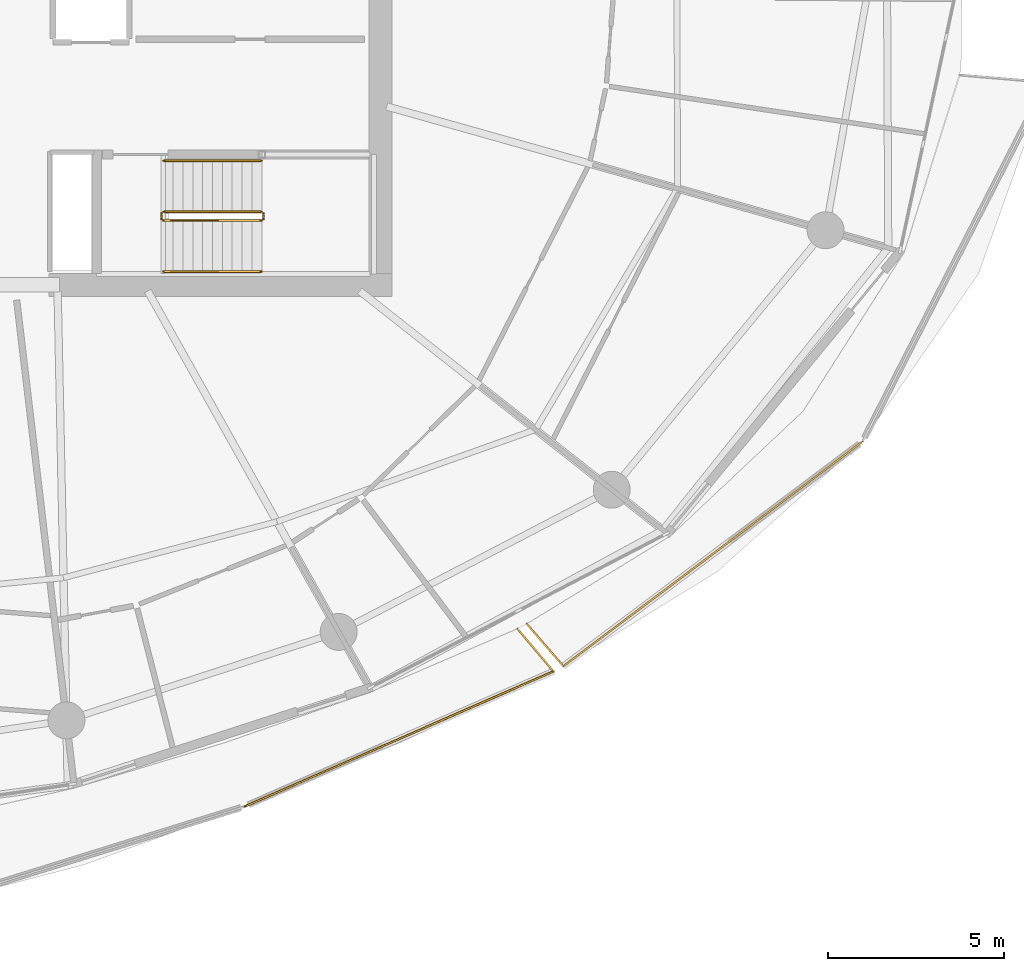
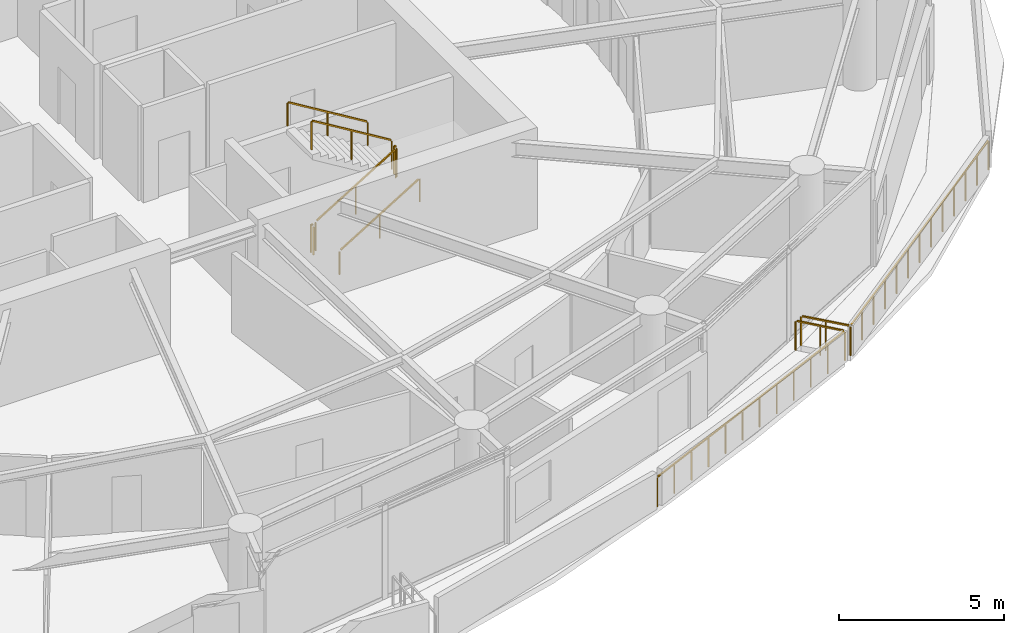
# One storey, part 18 of 20: 10 railings.
"""IFC4 building model written with IfcOpenShell, lengths in metres."""

from ifc_helpers import new_model, si_unit, direction, frame, origin, origin_2d, place, context, subcontext, project, spatial, rectangle, extrude, material, type_object, element, save


model = new_model("IFC4")

# Units and contexts
model_context = context("Model", 3, precision=1e-05, world=origin(), true_north=direction((0.0, 1.0)))
body_context = subcontext(model_context, "Body", "Model", "MODEL_VIEW")
ifc_project = project(units=[si_unit("LENGTHUNIT", "METRE"), si_unit("AREAUNIT", "SQUARE_METRE"), si_unit("VOLUMEUNIT", "CUBIC_METRE"), si_unit("PLANEANGLEUNIT", "RADIAN"), si_unit("MASSUNIT", "GRAM", prefix="KILO")], contexts=[model_context])

# Site, building, storey
site_placement = place(None, origin())
site = spatial("IfcSite", under=ifc_project, at=site_placement, CompositionType="ELEMENT")
building_placement = place(site_placement, origin())
building = spatial("IfcBuilding", under=site, at=building_placement, Name="Kazma Halo Residences", CompositionType="ELEMENT")
storey_placement = place(building_placement, frame((0.0, 0.0, 206.550048828125)))
storey = spatial("IfcBuildingStorey", under=building, at=storey_placement, Name="L52", CompositionType="ELEMENT", Elevation=206.550048828125)

# Railings
ifc_material_1 = material(Name="Aluminium AW-6063 T6 Brushed Cap Rail", Category="aluminium")
railing_type_1 = type_object("IfcRailingType", Name="RLG-BAL-CAP-1120", PredefinedType="BALUSTRADE", material=ifc_material_1)
railing_1_placement = place(storey_placement, frame((55.520263671875, 18.855224609375, 0.0)))
element("IfcRailing", 1, at=railing_1_placement, inside=storey, type_object=railing_type_1, Name="L52 SSE wave balcony guard 3", PredefinedType="BALUSTRADE", context=body_context, shape_type="SweptSolid", body=[
    extrude(rectangle(XDim=0.050048828125, YDim=0.050048828125, at=origin_2d()), frame((0.0390625, 0.01708984375, 1.09521484375), z_axis=(0.916057182415, 0.401047676151, 0.0), x_axis=(-0.401047676151, 0.916057182415, 0.0)), (0.0, 0.0, 1.0), 9.484619140625),
    extrude(rectangle(XDim=0.0400390625, YDim=0.0400390625, at=origin_2d()), origin(), (0.0, 0.0, 1.0), 1.05810546875),
    extrude(rectangle(XDim=0.0400390625, YDim=0.0400390625, at=origin_2d()), frame((0.796875, 0.348876953125, 0.0)), (0.0, 0.0, 1.0), 1.05810546875),
    extrude(rectangle(XDim=0.0400390625, YDim=0.0400390625, at=origin_2d()), frame((1.593994140625, 0.69775390625, 0.0)), (0.0, 0.0, 1.0), 1.05810546875),
    extrude(rectangle(XDim=0.0400390625, YDim=0.0400390625, at=origin_2d()), frame((2.390869140625, 1.046630859375, 0.0)), (0.0, 0.0, 1.0), 1.05810546875),
    extrude(rectangle(XDim=0.0400390625, YDim=0.0400390625, at=origin_2d()), frame((3.187744140625, 1.3955078125, 0.0)), (0.0, 0.0, 1.0), 1.05810546875),
    extrude(rectangle(XDim=0.0400390625, YDim=0.0400390625, at=origin_2d()), frame((3.984619140625, 1.744384765625, 0.0)), (0.0, 0.0, 1.0), 1.05810546875),
    extrude(rectangle(XDim=0.0400390625, YDim=0.0400390625, at=origin_2d()), frame((4.78173828125, 2.093505859375, 0.0)), (0.0, 0.0, 1.0), 1.05810546875),
    extrude(rectangle(XDim=0.0400390625, YDim=0.0400390625, at=origin_2d()), frame((5.57861328125, 2.4423828125, 0.0)), (0.0, 0.0, 1.0), 1.05810546875),
    extrude(rectangle(XDim=0.0400390625, YDim=0.0400390625, at=origin_2d()), frame((6.37548828125, 2.791259765625, 0.0)), (0.0, 0.0, 1.0), 1.05810546875),
    extrude(rectangle(XDim=0.0400390625, YDim=0.0400390625, at=origin_2d()), frame((7.17236328125, 3.14013671875, 0.0)), (0.0, 0.0, 1.0), 1.05810546875),
    extrude(rectangle(XDim=0.0400390625, YDim=0.0400390625, at=origin_2d()), frame((7.969482421875, 3.489013671875, 0.0)), (0.0, 0.0, 1.0), 1.05810546875),
    extrude(rectangle(XDim=0.0400390625, YDim=0.0400390625, at=origin_2d()), frame((8.766357421875, 3.837890625, 0.0)), (0.0, 0.0, 1.0), 1.05810546875),
])
railing_2_placement = place(storey_placement, frame((64.28662109375, 22.693115234375, 0.0)))
element("IfcRailing", 2, at=railing_2_placement, inside=storey, type_object=railing_type_1, Name="L52 SSE wave balcony guard 4", PredefinedType="BALUSTRADE", context=body_context, shape_type="SweptSolid", body=[
    extrude(rectangle(XDim=0.050048828125, YDim=0.050048828125, at=origin_2d()), frame((-0.02734375, 0.032470703125, 1.09521484375), z_axis=(-0.644719068761, 0.764419598373, 0.0), x_axis=(-0.764419598373, -0.644719068761, 0.0)), (0.0, 0.0, 1.0), 1.499755859375),
    extrude(rectangle(XDim=0.0400390625, YDim=0.0400390625, at=origin_2d()), origin(), (0.0, 0.0, 1.0), 1.05810546875),
    extrude(rectangle(XDim=0.0400390625, YDim=0.0400390625, at=origin_2d()), frame((-0.5107421875, 0.605712890625, 0.0)), (0.0, 0.0, 1.0), 1.05810546875),
    extrude(rectangle(XDim=0.0400390625, YDim=0.0400390625, at=origin_2d()), frame((-1.021728515625, 1.21142578125, 0.0)), (0.0, 0.0, 1.0), 1.05810546875),
])
railing_3_placement = place(storey_placement, frame((63.528564453125, 24.041748046875, 0.0)))
element("IfcRailing", 3, at=railing_3_placement, inside=storey, type_object=railing_type_1, Name="L52 SE wave balcony guard 1", PredefinedType="BALUSTRADE", context=body_context, shape_type="SweptSolid", body=[
    extrude(rectangle(XDim=0.050048828125, YDim=0.050048828125, at=origin_2d()), frame((0.02783203125, -0.0322265625, 1.09521484375), z_axis=(0.654099677317, -0.756408363342, 0.0), x_axis=(0.756408363342, 0.654099677317, 0.0)), (0.0, 0.0, 1.0), 1.504150390625),
    extrude(rectangle(XDim=0.0400390625, YDim=0.0400390625, at=origin_2d()), origin(), (0.0, 0.0, 1.0), 1.05810546875),
    extrude(rectangle(XDim=0.0400390625, YDim=0.0400390625, at=origin_2d()), frame((0.519775390625, -0.60107421875, 0.0)), (0.0, 0.0, 1.0), 1.05810546875),
    extrude(rectangle(XDim=0.0400390625, YDim=0.0400390625, at=origin_2d()), frame((1.03955078125, -1.2021484375, 0.0)), (0.0, 0.0, 1.0), 1.05810546875),
])
railing_4_placement = place(storey_placement, frame((64.568115234375, 22.839599609375, 0.0)))
element("IfcRailing", 4, at=railing_4_placement, inside=storey, type_object=railing_type_1, Name="L52 SE wave balcony guard 2", PredefinedType="BALUSTRADE", context=body_context, shape_type="SweptSolid", body=[
    extrude(rectangle(XDim=0.050048828125, YDim=0.050048828125, at=origin_2d()), frame((0.033935546875, 0.025634765625, 1.09521484375), z_axis=(0.799768549379, 0.600308476889, 0.0), x_axis=(-0.600308476889, 0.799768549379, 0.0)), (0.0, 0.0, 1.0), 10.55029296875),
    extrude(rectangle(XDim=0.0400390625, YDim=0.0400390625, at=origin_2d()), origin(), (0.0, 0.0, 1.0), 1.05810546875),
    extrude(rectangle(XDim=0.0400390625, YDim=0.0400390625, at=origin_2d()), frame((0.708740234375, 0.531982421875, 0.0)), (0.0, 0.0, 1.0), 1.05810546875),
    extrude(rectangle(XDim=0.0400390625, YDim=0.0400390625, at=origin_2d()), frame((1.417724609375, 1.06396484375, 0.0)), (0.0, 0.0, 1.0), 1.05810546875),
    extrude(rectangle(XDim=0.0400390625, YDim=0.0400390625, at=origin_2d()), frame((2.12646484375, 1.59619140625, 0.0)), (0.0, 0.0, 1.0), 1.05810546875),
    extrude(rectangle(XDim=0.0400390625, YDim=0.0400390625, at=origin_2d()), frame((2.835205078125, 2.128173828125, 0.0)), (0.0, 0.0, 1.0), 1.05810546875),
    extrude(rectangle(XDim=0.0400390625, YDim=0.0400390625, at=origin_2d()), frame((3.544189453125, 2.66015625, 0.0)), (0.0, 0.0, 1.0), 1.05810546875),
    extrude(rectangle(XDim=0.0400390625, YDim=0.0400390625, at=origin_2d()), frame((4.2529296875, 3.1923828125, 0.0)), (0.0, 0.0, 1.0), 1.05810546875),
    extrude(rectangle(XDim=0.0400390625, YDim=0.0400390625, at=origin_2d()), frame((4.961669921875, 3.724365234375, 0.0)), (0.0, 0.0, 1.0), 1.05810546875),
    extrude(rectangle(XDim=0.0400390625, YDim=0.0400390625, at=origin_2d()), frame((5.670654296875, 4.25634765625, 0.0)), (0.0, 0.0, 1.0), 1.05810546875),
    extrude(rectangle(XDim=0.0400390625, YDim=0.0400390625, at=origin_2d()), frame((6.37939453125, 4.788330078125, 0.0)), (0.0, 0.0, 1.0), 1.05810546875),
    extrude(rectangle(XDim=0.0400390625, YDim=0.0400390625, at=origin_2d()), frame((7.088134765625, 5.3203125, 0.0)), (0.0, 0.0, 1.0), 1.05810546875),
    extrude(rectangle(XDim=0.0400390625, YDim=0.0400390625, at=origin_2d()), frame((7.797119140625, 5.8525390625, 0.0)), (0.0, 0.0, 1.0), 1.05810546875),
    extrude(rectangle(XDim=0.0400390625, YDim=0.0400390625, at=origin_2d()), frame((8.505859375, 6.384521484375, 0.0)), (0.0, 0.0, 1.0), 1.05810546875),
])
ifc_material_2 = material(Name="Painted Steel S355", Category="steel")
railing_type_2 = type_object("IfcRailingType", Name="RLG-STAIR-GRD-1100", PredefinedType="GUARDRAIL", material=ifc_material_2)
railing_5_placement = place(storey_placement, frame((53.199951171875, 35.5, 0.17041015625)))
element("IfcRailing", 5, at=railing_5_placement, inside=storey, type_object=railing_type_2, Name="L52 ST-03 stair guard 1", PredefinedType="GUARDRAIL", context=body_context, shape_type="SweptSolid", body=[
    extrude(rectangle(XDim=0.050048828125, YDim=0.050048828125, at=origin_2d()), frame((0.036376953125, 0.0, 1.09716796875), z_axis=(0.854169791009, 0.0, 0.51999420009), x_axis=(0.0, 1.0, 0.0)), (0.0, 0.0, 1.0), 3.193115234375),
    extrude(rectangle(XDim=0.0400390625, YDim=0.0400390625, at=origin_2d()), origin(), (0.0, 0.0, 1.0), 1.0380859375),
    extrude(rectangle(XDim=0.0400390625, YDim=0.0400390625, at=origin_2d()), frame((1.39990234375, 0.0, 0.852294921875)), (0.0, 0.0, 1.0), 1.0380859375),
    extrude(rectangle(XDim=0.0400390625, YDim=0.0400390625, at=origin_2d()), frame((2.800048828125, 0.0, 1.70458984375)), (0.0, 0.0, 1.0), 1.0380859375),
])
railing_6_placement = place(storey_placement, frame((56.050048828125, 35.550048828125, 1.875)))
element("IfcRailing", 6, at=railing_6_placement, inside=storey, type_object=railing_type_2, Name="L52 ST-03 stair guard 2", PredefinedType="GUARDRAIL", context=body_context, shape_type="SweptSolid", body=[
    extrude(rectangle(XDim=0.050048828125, YDim=0.050048828125, at=origin_2d()), frame((0.0, 0.04248046875, 1.0751953125), z_axis=(0.0, 1.0, 0.0), x_axis=(-1.0, 0.0, 0.0)), (0.0, 0.0, 1.0), 0.06494140625),
    extrude(rectangle(XDim=0.0400390625, YDim=0.0400390625, at=origin_2d()), origin(), (0.0, 0.0, 1.0), 1.0380859375),
    extrude(rectangle(XDim=0.0400390625, YDim=0.0400390625, at=origin_2d()), frame((0.0, 0.14990234375, 0.0)), (0.0, 0.0, 1.0), 1.0380859375),
])
railing_7_placement = place(storey_placement, frame((56.0, 35.75, 2.04541015625)))
element("IfcRailing", 7, at=railing_7_placement, inside=storey, type_object=railing_type_2, Name="L52 ST-03 stair guard 3", PredefinedType="GUARDRAIL", context=body_context, shape_type="SweptSolid", body=[
    extrude(rectangle(XDim=0.050048828125, YDim=0.050048828125, at=origin_2d()), frame((-0.036376953125, 0.0, 1.09716796875), z_axis=(-0.854169791009, 0.0, 0.51999420009), x_axis=(0.0, -1.0, 0.0)), (0.0, 0.0, 1.0), 3.193115234375),
    extrude(rectangle(XDim=0.0400390625, YDim=0.0400390625, at=origin_2d()), origin(), (0.0, 0.0, 1.0), 1.0380859375),
    extrude(rectangle(XDim=0.0400390625, YDim=0.0400390625, at=origin_2d()), frame((-1.39990234375, 0.0, 0.852294921875)), (0.0, 0.0, 1.0), 1.0380859375),
    extrude(rectangle(XDim=0.0400390625, YDim=0.0400390625, at=origin_2d()), frame((-2.800048828125, 0.0, 1.70458984375)), (0.0, 0.0, 1.0), 1.0380859375),
])
railing_8_placement = place(storey_placement, frame((53.14990234375, 35.550048828125, 0.0)))
element("IfcRailing", 8, at=railing_8_placement, inside=storey, type_object=railing_type_2, Name="L52 ST-03 stair guard 4", PredefinedType="GUARDRAIL", context=body_context, shape_type="SweptSolid", body=[
    extrude(rectangle(XDim=0.050048828125, YDim=0.050048828125, at=origin_2d()), frame((0.0, 0.04248046875, 1.0751953125), z_axis=(0.0, 1.0, 0.0), x_axis=(-1.0, 0.0, 0.0)), (0.0, 0.0, 1.0), 0.06494140625),
    extrude(rectangle(XDim=0.0400390625, YDim=0.0400390625, at=origin_2d()), origin(), (0.0, 0.0, 1.0), 1.0380859375),
    extrude(rectangle(XDim=0.0400390625, YDim=0.0400390625, at=origin_2d()), frame((0.0, 0.14990234375, 0.0)), (0.0, 0.0, 1.0), 1.0380859375),
])
ifc_material_3 = material(Name="Brushed Stainless Steel", Category="steel")
railing_type_3 = type_object("IfcRailingType", Name="RLG-STAIR-HND-900", PredefinedType="HANDRAIL", material=ifc_material_3)
railing_9_placement = place(storey_placement, frame((53.199951171875, 34.050048828125, 0.17041015625)))
element("IfcRailing", 9, at=railing_9_placement, inside=storey, type_object=railing_type_3, Name="L52 ST-03 stair handrail 1", PredefinedType="HANDRAIL", context=body_context, shape_type="SweptSolid", body=[
    extrude(rectangle(XDim=0.050048828125, YDim=0.050048828125, at=origin_2d()), frame((0.036376953125, 0.0, 0.89697265625), z_axis=(0.854169791009, 0.0, 0.51999420009), x_axis=(0.0, 1.0, 0.0)), (0.0, 0.0, 1.0), 3.193115234375),
    extrude(rectangle(XDim=0.0400390625, YDim=0.0400390625, at=origin_2d()), origin(), (0.0, 0.0, 1.0), 0.837890625),
    extrude(rectangle(XDim=0.0400390625, YDim=0.0400390625, at=origin_2d()), frame((1.39990234375, 0.0, 0.852294921875)), (0.0, 0.0, 1.0), 0.837890625),
    extrude(rectangle(XDim=0.0400390625, YDim=0.0400390625, at=origin_2d()), frame((2.800048828125, 0.0, 1.70458984375)), (0.0, 0.0, 1.0), 0.837890625),
])
railing_10_placement = place(storey_placement, frame((56.0, 37.199951171875, 2.04541015625)))
element("IfcRailing", 10, at=railing_10_placement, inside=storey, type_object=railing_type_3, Name="L52 ST-03 stair handrail 2", PredefinedType="HANDRAIL", context=body_context, shape_type="SweptSolid", body=[
    extrude(rectangle(XDim=0.050048828125, YDim=0.050048828125, at=origin_2d()), frame((-0.036376953125, 0.0, 0.89697265625), z_axis=(-0.854169791009, 0.0, 0.51999420009), x_axis=(0.0, -1.0, 0.0)), (0.0, 0.0, 1.0), 3.193115234375),
    extrude(rectangle(XDim=0.0400390625, YDim=0.0400390625, at=origin_2d()), origin(), (0.0, 0.0, 1.0), 0.837890625),
    extrude(rectangle(XDim=0.0400390625, YDim=0.0400390625, at=origin_2d()), frame((-1.39990234375, 0.0, 0.852294921875)), (0.0, 0.0, 1.0), 0.837890625),
    extrude(rectangle(XDim=0.0400390625, YDim=0.0400390625, at=origin_2d()), frame((-2.800048828125, 0.0, 1.70458984375)), (0.0, 0.0, 1.0), 0.837890625),
])

save(model, "model.ifc")
